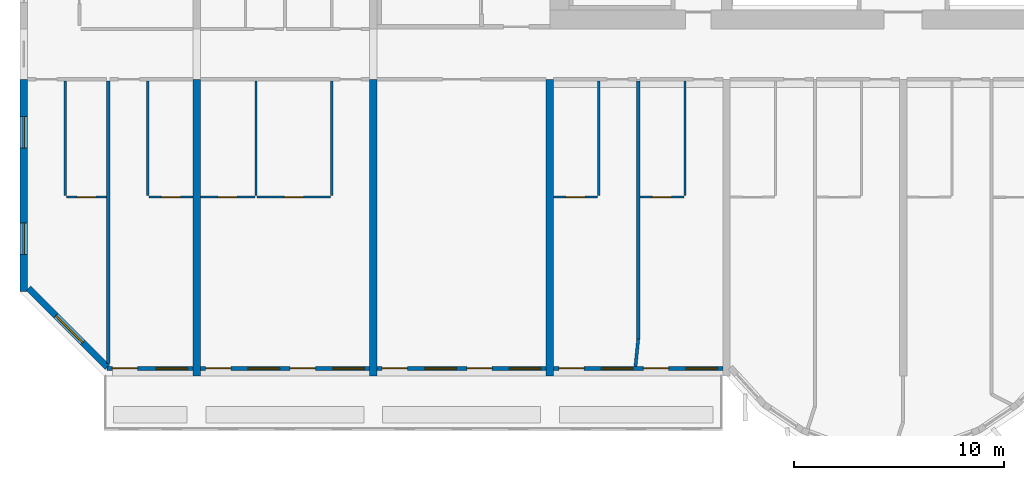
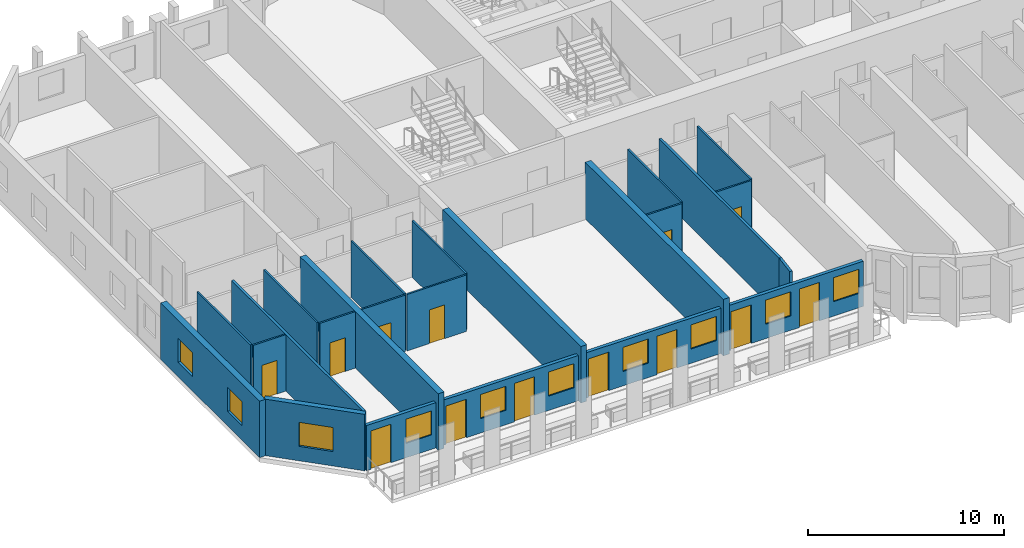
# One storey, part 2 of 14: 24 walls, 13 doors, 10 windows, 23 openings.
"""IFC4 building model written with IfcOpenShell, lengths in metres."""

from ifc_helpers import new_model, si_unit, direction, frame, frame_2d, origin, place, context, subcontext, project, spatial, rectangle, extrude, source, transform, mapped, material, layer, layer_set, type_object, element, fill, save


model = new_model("IFC4")

# Units and contexts
model_context = context("Model", 3, precision=1e-05, world=origin(), true_north=direction((0.0, 1.0)))
body_context = subcontext(model_context, "Body", "Model", "MODEL_VIEW")
ifc_project = project(units=[si_unit("LENGTHUNIT", "METRE"), si_unit("AREAUNIT", "SQUARE_METRE"), si_unit("VOLUMEUNIT", "CUBIC_METRE"), si_unit("PLANEANGLEUNIT", "RADIAN"), si_unit("MASSUNIT", "GRAM", prefix="KILO")], contexts=[model_context])

# Site, building, storey
site_placement = place(None, origin())
site = spatial("IfcSite", under=ifc_project, at=site_placement, CompositionType="ELEMENT")
building_placement = place(site_placement, origin())
building = spatial("IfcBuilding", under=site, at=building_placement, Name="Vanashikhar Sky Hotel", CompositionType="ELEMENT")
storey_placement = place(building_placement, frame((0.0, 0.0, 99.0)))
storey = spatial("IfcBuildingStorey", under=building, at=storey_placement, Name="L23", CompositionType="ELEMENT", Elevation=99.0)

# Wall, openings, windows
ifc_material_1 = material(Name="Concrete M70", Category="concrete")
ifc_layer_1 = layer(ifc_material_1, 0.35009765625)
ifc_layer_set_1 = layer_set([ifc_layer_1], Name="RC shear wall 350 Concrete M70")
wall_type_1 = type_object("IfcWallType", Name="RC shear wall 350 Concrete M70", PredefinedType="SHEAR", material=ifc_layer_set_1)
shared_shape_1 = source(origin(), body_context, "Body", "SweptSolid", [
    extrude(rectangle(XDim=10.10009765625, YDim=0.35009765625, at=frame_2d((5.050048828125, 0.0))), origin(), (0.0, 0.0, 1.0), 3.52001953125),
])
wall_1_placement = place(storey_placement, frame((0.175048828125, 9.5, 0.0), z_axis=(0.0, 0.0, 1.0), x_axis=(0.0, 1.0, 0.0)))
wall_1 = element("IfcWall", 1, at=wall_1_placement, inside=storey, type_object=wall_type_1, Name="CW-L23-XW01-1", PredefinedType="SHEAR", context=body_context, shape_type="MappedRepresentation", body=[
    mapped(shared_shape_1, transform((0.0, 0.0, 0.0), scale=1.0)),
])
shared_shape_2 = source(origin(), body_context, "Body", "SweptSolid", [
    extrude(rectangle(XDim=1.5, YDim=1.5, at=frame_2d((0.75, 0.75))), frame((0.0, 0.18505859375, 0.0), z_axis=(0.0, -1.0, 0.0), x_axis=(1.0, 0.0, 0.0)), (0.0, 0.0, 1.0), 0.3701171875),
])
opening_1_placement = place(wall_1_placement, frame((1.77490234375, 0.0, 0.89990234375)))
opening_1 = element("IfcOpeningElement", 2, at=opening_1_placement, cuts=wall_1, Name="Opening WN-1", PredefinedType="OPENING", context=body_context, shape_type="MappedRepresentation", body=[
    mapped(shared_shape_2, transform((0.0, 0.0, 0.0), scale=1.0)),
])
opening_2_placement = place(wall_1_placement, frame((6.824951171875, 0.0, 0.89990234375)))
opening_2 = element("IfcOpeningElement", 3, at=opening_2_placement, cuts=wall_1, Name="Opening WN-1", PredefinedType="OPENING", context=body_context, shape_type="MappedRepresentation", body=[
    mapped(shared_shape_2, transform((0.0, 0.0, 0.0), scale=1.0)),
])
ifc_material_2 = material(Name="Glass", Category="glass")
window_type_1 = type_object("IfcWindowType", Name="Window 1500 x 1500", PartitioningType="SINGLE_PANEL", PredefinedType="WINDOW", material=ifc_material_2)
shared_shape_3 = source(origin(), body_context, "Body", "SweptSolid", [
    extrude(rectangle(XDim=1.5, YDim=1.5, at=frame_2d((0.75, 0.75))), frame((0.0, 0.030029296875, 0.0), z_axis=(0.0, -1.0, 0.0), x_axis=(1.0, 0.0, 0.0)), (0.0, 0.0, 1.0), 0.06005859375),
])
window_1_placement = place(opening_1_placement, origin())
window_1 = element("IfcWindow", 4, at=window_1_placement, inside=storey, type_object=window_type_1, Name="Window WN-1", OverallHeight=1.5, OverallWidth=1.5, PartitioningType="SINGLE_PANEL", PredefinedType="WINDOW", context=body_context, shape_type="MappedRepresentation", body=[
    mapped(shared_shape_3, transform((0.0, 0.0, 0.0), scale=1.0)),
])
fill(opening_1, window_1)
window_2_placement = place(opening_2_placement, origin())
window_2 = element("IfcWindow", 5, at=window_2_placement, inside=storey, type_object=window_type_1, Name="Window WN-1", OverallHeight=1.5, OverallWidth=1.5, PartitioningType="SINGLE_PANEL", PredefinedType="WINDOW", context=body_context, shape_type="MappedRepresentation", body=[
    mapped(shared_shape_3, transform((0.0, 0.0, 0.0), scale=1.0)),
])
fill(opening_2, window_2)

# Walls
shared_shape_4 = source(origin(), body_context, "Body", "SweptSolid", [
    extrude(rectangle(XDim=14.10009765625, YDim=0.35009765625, at=frame_2d((7.050048828125, 0.0))), origin(), (0.0, 0.0, 1.0), 3.52001953125),
])
for number, where, z_axis, x_axis, name in (
    (6, (8.39990234375, 5.5, 0.0), (0.0, 0.0, 1.0), (0.0, 1.0, 0.0), "CW-L23-XW02-1"),
    (7, (16.800048828125, 5.5, 0.0), (0.0, 0.0, 1.0), (0.0, 1.0, 0.0), "CW-L23-XW03-1"),
    (8, (25.199951171875, 5.5, 0.0), (0.0, 0.0, 1.0), (0.0, 1.0, 0.0), "CW-L23-XW04-1"),
):
    element("IfcWall", number, at=place(storey_placement, frame(where, z_axis=z_axis, x_axis=x_axis)), inside=storey, type_object=wall_type_1, Name=name, PredefinedType="SHEAR", context=body_context, shape_type="MappedRepresentation", body=[
        mapped(shared_shape_4, transform((0.0, 0.0, 0.0), scale=1.0)),
    ])

# Wall, opening, window
ifc_material_3 = material(Name="Concrete M50", Category="concrete")
ifc_layer_2 = layer(ifc_material_3, 0.300048828125)
ifc_layer_set_2 = layer_set([ifc_layer_2], Name="Lobe wall 300")
wall_type_2 = type_object("IfcWallType", Name="Lobe wall 300", PredefinedType="SOLIDWALL", material=ifc_layer_set_2)
shared_shape_5 = source(origin(), body_context, "Body", "SweptSolid", [
    extrude(rectangle(XDim=5.32568359375, YDim=0.300048828125, at=frame_2d((2.662841796875, 0.0))), origin(), (0.0, 0.0, 1.0), 3.52001953125),
])
wall_2_placement = place(storey_placement, frame((0.39990234375, 9.665771484375, 0.0), z_axis=(0.0, 0.0, 1.0), x_axis=(0.707106781187, -0.707106781187, 0.0)))
wall_2 = element("IfcWall", 9, at=wall_2_placement, inside=storey, type_object=wall_type_2, Name="Corner wall", PredefinedType="SOLIDWALL", context=body_context, shape_type="MappedRepresentation", body=[
    mapped(shared_shape_5, transform((0.0, 0.0, 0.0), scale=1.0)),
])
shared_shape_6 = source(origin(), body_context, "Body", "SweptSolid", [
    extrude(rectangle(XDim=1.800048828125, YDim=1.5, at=frame_2d((0.89990234375, 0.75))), frame((0.0, 0.16015625, 0.0), z_axis=(0.0, -1.0, 0.0), x_axis=(1.0, 0.0, 0.0)), (0.0, 0.0, 1.0), 0.320068359375),
])
opening_3_placement = place(wall_2_placement, frame((1.853759765625, 0.0, 0.89990234375)))
opening_3 = element("IfcOpeningElement", 10, at=opening_3_placement, cuts=wall_2, Name="Opening WN-4", PredefinedType="OPENING", context=body_context, shape_type="MappedRepresentation", body=[
    mapped(shared_shape_6, transform((0.0, 0.0, 0.0), scale=1.0)),
])
window_type_2 = type_object("IfcWindowType", Name="Corner window 1800 x 1500", PartitioningType="SINGLE_PANEL", PredefinedType="WINDOW", material=ifc_material_2)
shared_shape_7 = source(origin(), body_context, "Body", "SweptSolid", [
    extrude(rectangle(XDim=1.800048828125, YDim=1.5, at=frame_2d((0.89990234375, 0.75))), frame((0.0, 0.030029296875, 0.0), z_axis=(0.0, -1.0, 0.0), x_axis=(1.0, 0.0, 0.0)), (0.0, 0.0, 1.0), 0.06005859375),
])
window_3_placement = place(opening_3_placement, origin())
window_3 = element("IfcWindow", 11, at=window_3_placement, inside=storey, type_object=window_type_2, Name="Window WN-4", OverallHeight=1.5, OverallWidth=1.800048828125, PartitioningType="SINGLE_PANEL", PredefinedType="WINDOW", context=body_context, shape_type="MappedRepresentation", body=[
    mapped(shared_shape_7, transform((0.0, 0.0, 0.0), scale=1.0)),
])
fill(opening_3, window_3)

# Wall, openings, window, door
ifc_layer_3 = layer(ifc_material_3, 0.199951171875)
ifc_layer_set_3 = layer_set([ifc_layer_3], Name="Front window wall 200")
wall_type_3 = type_object("IfcWallType", Name="Front window wall 200", PredefinedType="SOLIDWALL", material=ifc_layer_set_3)
shared_shape_8 = source(origin(), body_context, "Body", "SweptSolid", [
    extrude(rectangle(XDim=4.080078125, YDim=0.199951171875, at=frame_2d((2.0400390625, 0.0))), origin(), (0.0, 0.0, 1.0), 2.820068359375),
])
wall_3_placement = place(storey_placement, frame((4.14501953125, 5.85009765625, 0.0), z_axis=(0.0, 0.0, 1.0), x_axis=(1.0, 0.0, 0.0)))
wall_3 = element("IfcWall", 12, at=wall_3_placement, inside=storey, type_object=wall_type_3, Name="Front window wall", PredefinedType="SOLIDWALL", context=body_context, shape_type="MappedRepresentation", body=[
    mapped(shared_shape_8, transform((0.0, 0.0, 0.0), scale=1.0)),
])
shared_shape_9 = source(origin(), body_context, "Body", "SweptSolid", [
    extrude(rectangle(XDim=1.199951171875, YDim=2.39990234375, at=frame_2d((0.60009765625, 1.199951171875))), frame((0.0, 0.10986328125, 0.0), z_axis=(0.0, -1.0, 0.0), x_axis=(1.0, 0.0, 0.0)), (0.0, 0.0, 1.0), 0.219970703125),
])
opening_4_placement = place(wall_3_placement, frame((0.25, 0.0, 0.0)))
opening_4 = element("IfcOpeningElement", 13, at=opening_4_placement, cuts=wall_3, Name="Opening BD-01", PredefinedType="OPENING", context=body_context, shape_type="MappedRepresentation", body=[
    mapped(shared_shape_9, transform((0.0, 0.0, 0.0), scale=1.0)),
])
shared_shape_10 = source(origin(), body_context, "Body", "SweptSolid", [
    extrude(rectangle(XDim=1.5, YDim=1.5, at=frame_2d((0.75, 0.75))), frame((0.0, 0.10986328125, 0.0), z_axis=(0.0, -1.0, 0.0), x_axis=(1.0, 0.0, 0.0)), (0.0, 0.0, 1.0), 0.219970703125),
])
opening_5_placement = place(wall_3_placement, frame((2.330078125, 0.0, 0.89990234375)))
opening_5 = element("IfcOpeningElement", 14, at=opening_5_placement, cuts=wall_3, Name="Opening WN-1", PredefinedType="OPENING", context=body_context, shape_type="MappedRepresentation", body=[
    mapped(shared_shape_10, transform((0.0, 0.0, 0.0), scale=1.0)),
])
window_4_placement = place(opening_5_placement, origin())
window_4 = element("IfcWindow", 15, at=window_4_placement, inside=storey, type_object=window_type_1, Name="Window WN-1", OverallHeight=1.5, OverallWidth=1.5, PartitioningType="SINGLE_PANEL", PredefinedType="WINDOW", context=body_context, shape_type="MappedRepresentation", body=[
    mapped(shared_shape_3, transform((0.0, 0.0, 0.0), scale=1.0)),
])
fill(opening_5, window_4)
ifc_material_4 = material(Name="Aluminium", Category="aluminium")
door_type_1 = type_object("IfcDoorType", Name="Balcony sliding door 1200 x 2400", OperationType="NOTDEFINED", PredefinedType="DOOR", material=ifc_material_4)
shared_shape_11 = source(origin(), body_context, "Body", "SweptSolid", [
    extrude(rectangle(XDim=1.199951171875, YDim=2.39990234375, at=frame_2d((0.60009765625, 1.199951171875))), frame((0.0, 0.02490234375, 0.0), z_axis=(0.0, -1.0, 0.0), x_axis=(1.0, 0.0, 0.0)), (0.0, 0.0, 1.0), 0.050048828125),
])
door_1_placement = place(opening_4_placement, origin())
door_1 = element("IfcDoor", 16, at=door_1_placement, inside=storey, type_object=door_type_1, Name="Balcony sliding door", OperationType="SLIDING_TO_LEFT", OverallHeight=2.39990234375, OverallWidth=1.199951171875, PredefinedType="DOOR", context=body_context, shape_type="MappedRepresentation", body=[
    mapped(shared_shape_11, transform((0.0, 0.0, 0.0), scale=1.0)),
])
fill(opening_4, door_1)

# Wall, openings, windows, doors
shared_shape_12 = source(origin(), body_context, "Body", "SweptSolid", [
    extrude(rectangle(XDim=8.050048828125, YDim=0.199951171875, at=frame_2d((4.02490234375, 0.0))), origin(), (0.0, 0.0, 1.0), 2.820068359375),
])
wall_4_placement = place(storey_placement, frame((8.574951171875, 5.85009765625, 0.0), z_axis=(0.0, 0.0, 1.0), x_axis=(1.0, 0.0, 0.0)))
wall_4 = element("IfcWall", 17, at=wall_4_placement, inside=storey, type_object=wall_type_3, Name="Front window wall", PredefinedType="SOLIDWALL", context=body_context, shape_type="MappedRepresentation", body=[
    mapped(shared_shape_12, transform((0.0, 0.0, 0.0), scale=1.0)),
])
opening_6_placement = place(wall_4_placement, frame((0.25, 0.0, 0.0)))
opening_6 = element("IfcOpeningElement", 18, at=opening_6_placement, cuts=wall_4, Name="Opening BD-02", PredefinedType="OPENING", context=body_context, shape_type="MappedRepresentation", body=[
    mapped(shared_shape_9, transform((0.0, 0.0, 0.0), scale=1.0)),
])
opening_7_placement = place(wall_4_placement, frame((2.27490234375, 0.0, 0.89990234375)))
opening_7 = element("IfcOpeningElement", 19, at=opening_7_placement, cuts=wall_4, Name="Opening WN-1", PredefinedType="OPENING", context=body_context, shape_type="MappedRepresentation", body=[
    mapped(shared_shape_10, transform((0.0, 0.0, 0.0), scale=1.0)),
])
opening_8_placement = place(wall_4_placement, frame((4.27490234375, 0.0, 0.0)))
opening_8 = element("IfcOpeningElement", 20, at=opening_8_placement, cuts=wall_4, Name="Opening BD-03", PredefinedType="OPENING", context=body_context, shape_type="MappedRepresentation", body=[
    mapped(shared_shape_9, transform((0.0, 0.0, 0.0), scale=1.0)),
])
opening_9_placement = place(wall_4_placement, frame((6.300048828125, 0.0, 0.89990234375)))
opening_9 = element("IfcOpeningElement", 21, at=opening_9_placement, cuts=wall_4, Name="Opening WN-1", PredefinedType="OPENING", context=body_context, shape_type="MappedRepresentation", body=[
    mapped(shared_shape_10, transform((0.0, 0.0, 0.0), scale=1.0)),
])
window_5_placement = place(opening_7_placement, origin())
window_5 = element("IfcWindow", 22, at=window_5_placement, inside=storey, type_object=window_type_1, Name="Window WN-1", OverallHeight=1.5, OverallWidth=1.5, PartitioningType="SINGLE_PANEL", PredefinedType="WINDOW", context=body_context, shape_type="MappedRepresentation", body=[
    mapped(shared_shape_3, transform((0.0, 0.0, 0.0), scale=1.0)),
])
fill(opening_7, window_5)
window_6_placement = place(opening_9_placement, origin())
window_6 = element("IfcWindow", 23, at=window_6_placement, inside=storey, type_object=window_type_1, Name="Window WN-1", OverallHeight=1.5, OverallWidth=1.5, PartitioningType="SINGLE_PANEL", PredefinedType="WINDOW", context=body_context, shape_type="MappedRepresentation", body=[
    mapped(shared_shape_3, transform((0.0, 0.0, 0.0), scale=1.0)),
])
fill(opening_9, window_6)
door_2_placement = place(opening_6_placement, origin())
door_2 = element("IfcDoor", 24, at=door_2_placement, inside=storey, type_object=door_type_1, Name="Balcony sliding door", OperationType="SLIDING_TO_RIGHT", OverallHeight=2.39990234375, OverallWidth=1.199951171875, PredefinedType="DOOR", context=body_context, shape_type="MappedRepresentation", body=[
    mapped(shared_shape_11, transform((0.0, 0.0, 0.0), scale=1.0)),
])
fill(opening_6, door_2)
door_3_placement = place(opening_8_placement, origin())
door_3 = element("IfcDoor", 25, at=door_3_placement, inside=storey, type_object=door_type_1, Name="Balcony sliding door", OperationType="SLIDING_TO_LEFT", OverallHeight=2.39990234375, OverallWidth=1.199951171875, PredefinedType="DOOR", context=body_context, shape_type="MappedRepresentation", body=[
    mapped(shared_shape_11, transform((0.0, 0.0, 0.0), scale=1.0)),
])
fill(opening_8, door_3)

wall_5_placement = place(storey_placement, frame((25.375, 5.85009765625, 0.0), z_axis=(0.0, 0.0, 1.0), x_axis=(1.0, 0.0, 0.0)))
wall_5 = element("IfcWall", 26, at=wall_5_placement, inside=storey, type_object=wall_type_3, Name="Front window wall", PredefinedType="SOLIDWALL", context=body_context, shape_type="MappedRepresentation", body=[
    mapped(shared_shape_12, transform((0.0, 0.0, 0.0), scale=1.0)),
])
opening_10_placement = place(wall_5_placement, frame((0.25, 0.0, 0.0)))
opening_10 = element("IfcOpeningElement", 27, at=opening_10_placement, cuts=wall_5, Name="Opening BD-06", PredefinedType="OPENING", context=body_context, shape_type="MappedRepresentation", body=[
    mapped(shared_shape_9, transform((0.0, 0.0, 0.0), scale=1.0)),
])
opening_11_placement = place(wall_5_placement, frame((2.27490234375, 0.0, 0.89990234375)))
opening_11 = element("IfcOpeningElement", 28, at=opening_11_placement, cuts=wall_5, Name="Opening WN-1", PredefinedType="OPENING", context=body_context, shape_type="MappedRepresentation", body=[
    mapped(shared_shape_10, transform((0.0, 0.0, 0.0), scale=1.0)),
])
opening_12_placement = place(wall_5_placement, frame((4.27490234375, 0.0, 0.0)))
opening_12 = element("IfcOpeningElement", 29, at=opening_12_placement, cuts=wall_5, Name="Opening BD-07", PredefinedType="OPENING", context=body_context, shape_type="MappedRepresentation", body=[
    mapped(shared_shape_9, transform((0.0, 0.0, 0.0), scale=1.0)),
])
opening_13_placement = place(wall_5_placement, frame((6.300048828125, 0.0, 0.89990234375)))
opening_13 = element("IfcOpeningElement", 30, at=opening_13_placement, cuts=wall_5, Name="Opening WN-1", PredefinedType="OPENING", context=body_context, shape_type="MappedRepresentation", body=[
    mapped(shared_shape_10, transform((0.0, 0.0, 0.0), scale=1.0)),
])
window_7_placement = place(opening_11_placement, origin())
window_7 = element("IfcWindow", 31, at=window_7_placement, inside=storey, type_object=window_type_1, Name="Window WN-1", OverallHeight=1.5, OverallWidth=1.5, PartitioningType="SINGLE_PANEL", PredefinedType="WINDOW", context=body_context, shape_type="MappedRepresentation", body=[
    mapped(shared_shape_3, transform((0.0, 0.0, 0.0), scale=1.0)),
])
fill(opening_11, window_7)
window_8_placement = place(opening_13_placement, origin())
window_8 = element("IfcWindow", 32, at=window_8_placement, inside=storey, type_object=window_type_1, Name="Window WN-1", OverallHeight=1.5, OverallWidth=1.5, PartitioningType="SINGLE_PANEL", PredefinedType="WINDOW", context=body_context, shape_type="MappedRepresentation", body=[
    mapped(shared_shape_3, transform((0.0, 0.0, 0.0), scale=1.0)),
])
fill(opening_13, window_8)
door_4_placement = place(opening_10_placement, origin())
door_4 = element("IfcDoor", 33, at=door_4_placement, inside=storey, type_object=door_type_1, Name="Balcony sliding door", OperationType="SLIDING_TO_RIGHT", OverallHeight=2.39990234375, OverallWidth=1.199951171875, PredefinedType="DOOR", context=body_context, shape_type="MappedRepresentation", body=[
    mapped(shared_shape_11, transform((0.0, 0.0, 0.0), scale=1.0)),
])
fill(opening_10, door_4)
door_5_placement = place(opening_12_placement, origin())
door_5 = element("IfcDoor", 34, at=door_5_placement, inside=storey, type_object=door_type_1, Name="Balcony sliding door", OperationType="SLIDING_TO_LEFT", OverallHeight=2.39990234375, OverallWidth=1.199951171875, PredefinedType="DOOR", context=body_context, shape_type="MappedRepresentation", body=[
    mapped(shared_shape_11, transform((0.0, 0.0, 0.0), scale=1.0)),
])
fill(opening_12, door_5)

shared_shape_13 = source(origin(), body_context, "Body", "SweptSolid", [
    extrude(rectangle(XDim=8.0498046875, YDim=0.199951171875, at=frame_2d((4.02490234375, 0.0))), origin(), (0.0, 0.0, 1.0), 2.820068359375),
])
wall_6_placement = place(storey_placement, frame((16.97509765625, 5.85009765625, 0.0), z_axis=(0.0, 0.0, 1.0), x_axis=(1.0, 0.0, 0.0)))
wall_6 = element("IfcWall", 35, at=wall_6_placement, inside=storey, type_object=wall_type_3, Name="Front window wall", PredefinedType="SOLIDWALL", context=body_context, shape_type="MappedRepresentation", body=[
    mapped(shared_shape_13, transform((0.0, 0.0, 0.0), scale=1.0)),
])
opening_14_placement = place(wall_6_placement, frame((0.25, 0.0, 0.0)))
opening_14 = element("IfcOpeningElement", 36, at=opening_14_placement, cuts=wall_6, Name="Opening BD-04", PredefinedType="OPENING", context=body_context, shape_type="MappedRepresentation", body=[
    mapped(shared_shape_9, transform((0.0, 0.0, 0.0), scale=1.0)),
])
opening_15_placement = place(wall_6_placement, frame((2.27490234375, 0.0, 0.89990234375)))
opening_15 = element("IfcOpeningElement", 37, at=opening_15_placement, cuts=wall_6, Name="Opening WN-1", PredefinedType="OPENING", context=body_context, shape_type="MappedRepresentation", body=[
    mapped(shared_shape_10, transform((0.0, 0.0, 0.0), scale=1.0)),
])
opening_16_placement = place(wall_6_placement, frame((4.27490234375, 0.0, 0.0)))
opening_16 = element("IfcOpeningElement", 38, at=opening_16_placement, cuts=wall_6, Name="Opening BD-05", PredefinedType="OPENING", context=body_context, shape_type="MappedRepresentation", body=[
    mapped(shared_shape_9, transform((0.0, 0.0, 0.0), scale=1.0)),
])
opening_17_placement = place(wall_6_placement, frame((6.300048828125, 0.0, 0.89990234375)))
opening_17 = element("IfcOpeningElement", 39, at=opening_17_placement, cuts=wall_6, Name="Opening WN-1", PredefinedType="OPENING", context=body_context, shape_type="MappedRepresentation", body=[
    mapped(shared_shape_10, transform((0.0, 0.0, 0.0), scale=1.0)),
])
window_9_placement = place(opening_15_placement, origin())
window_9 = element("IfcWindow", 40, at=window_9_placement, inside=storey, type_object=window_type_1, Name="Window WN-1", OverallHeight=1.5, OverallWidth=1.5, PartitioningType="SINGLE_PANEL", PredefinedType="WINDOW", context=body_context, shape_type="MappedRepresentation", body=[
    mapped(shared_shape_3, transform((0.0, 0.0, 0.0), scale=1.0)),
])
fill(opening_15, window_9)
window_10_placement = place(opening_17_placement, origin())
window_10 = element("IfcWindow", 41, at=window_10_placement, inside=storey, type_object=window_type_1, Name="Window WN-1", OverallHeight=1.5, OverallWidth=1.5, PartitioningType="SINGLE_PANEL", PredefinedType="WINDOW", context=body_context, shape_type="MappedRepresentation", body=[
    mapped(shared_shape_3, transform((0.0, 0.0, 0.0), scale=1.0)),
])
fill(opening_17, window_10)
door_6_placement = place(opening_14_placement, origin())
door_6 = element("IfcDoor", 42, at=door_6_placement, inside=storey, type_object=door_type_1, Name="Balcony sliding door", OperationType="SLIDING_TO_RIGHT", OverallHeight=2.39990234375, OverallWidth=1.199951171875, PredefinedType="DOOR", context=body_context, shape_type="MappedRepresentation", body=[
    mapped(shared_shape_11, transform((0.0, 0.0, 0.0), scale=1.0)),
])
fill(opening_14, door_6)
door_7_placement = place(opening_16_placement, origin())
door_7 = element("IfcDoor", 43, at=door_7_placement, inside=storey, type_object=door_type_1, Name="Balcony sliding door", OperationType="SLIDING_TO_LEFT", OverallHeight=2.39990234375, OverallWidth=1.199951171875, PredefinedType="DOOR", context=body_context, shape_type="MappedRepresentation", body=[
    mapped(shared_shape_11, transform((0.0, 0.0, 0.0), scale=1.0)),
])
fill(opening_16, door_7)

# Wall, opening, door
ifc_material_5 = material(Name="Gypsum plasterboard partition")
ifc_layer_4 = layer(ifc_material_5, 0.10009765625)
ifc_layer_set_4 = layer_set([ifc_layer_4], Name="Wet room partition 100")
wall_type_4 = type_object("IfcWallType", Name="Wet room partition 100", PredefinedType="PARTITIONING", material=ifc_layer_set_4)
shared_shape_14 = source(origin(), body_context, "Body", "SweptSolid", [
    extrude(rectangle(XDim=3.5, YDim=0.10009765625, at=frame_2d((1.75, 0.0))), origin(), (0.0, 0.0, 1.0), 3.52001953125),
])
wall_7_placement = place(storey_placement, frame((11.27490234375, 14.0, 0.0), z_axis=(0.0, 0.0, 1.0), x_axis=(1.0, 0.0, 0.0)))
wall_7 = element("IfcWall", 44, at=wall_7_placement, inside=storey, type_object=wall_type_4, Name="W-L23-PW010", PredefinedType="PARTITIONING", context=body_context, shape_type="MappedRepresentation", body=[
    mapped(shared_shape_14, transform((0.0, 0.0, 0.0), scale=1.0)),
])
shared_shape_15 = source(origin(), body_context, "Body", "SweptSolid", [
    extrude(rectangle(XDim=0.89990234375, YDim=2.10009765625, at=frame_2d((0.449951171875, 1.050048828125))), frame((0.0, 0.06005859375, 0.0), z_axis=(0.0, -1.0, 0.0), x_axis=(1.0, 0.0, 0.0)), (0.0, 0.0, 1.0), 0.1201171875),
])
opening_18_placement = place(wall_7_placement, frame((1.300048828125, 0.0, 0.0)))
opening_18 = element("IfcOpeningElement", 45, at=opening_18_placement, cuts=wall_7, Name="Opening D-02", PredefinedType="OPENING", context=body_context, shape_type="MappedRepresentation", body=[
    mapped(shared_shape_15, transform((0.0, 0.0, 0.0), scale=1.0)),
])
ifc_material_6 = material(Name="Timber door", Category="wood")
door_type_2 = type_object("IfcDoorType", Name="Internal door 900", OperationType="NOTDEFINED", PredefinedType="DOOR", material=ifc_material_6)
shared_shape_16 = source(origin(), body_context, "Body", "SweptSolid", [
    extrude(rectangle(XDim=0.89990234375, YDim=2.10009765625, at=frame_2d((0.449951171875, 1.050048828125))), frame((0.0, 0.02490234375, 0.0), z_axis=(0.0, -1.0, 0.0), x_axis=(1.0, 0.0, 0.0)), (0.0, 0.0, 1.0), 0.050048828125),
])
door_8_placement = place(opening_18_placement, origin())
door_8 = element("IfcDoor", 46, at=door_8_placement, inside=storey, type_object=door_type_2, Name="D-L23-005", OperationType="SINGLE_SWING_RIGHT", OverallHeight=2.10009765625, OverallWidth=0.89990234375, PredefinedType="DOOR", context=body_context, shape_type="MappedRepresentation", body=[
    mapped(shared_shape_16, transform((0.0, 0.0, 0.0), scale=1.0)),
])
fill(opening_18, door_8)

# Walls
shared_shape_17 = source(origin(), body_context, "Body", "SweptSolid", [
    extrude(rectangle(XDim=5.449951171875, YDim=0.10009765625, at=frame_2d((2.72509765625, 0.0))), origin(), (0.0, 0.0, 1.0), 3.52001953125),
])
for number, where, z_axis, x_axis, name in (
    (47, (2.14990234375, 14.074951171875, 0.0), (0.0, 0.0, 1.0), (0.0, 1.0, 0.0), "W-L23-PW001"),
    (48, (6.074951171875, 14.074951171875, 0.0), (0.0, 0.0, 1.0), (0.0, 1.0, 0.0), "W-L23-PW004"),
    (49, (14.824951171875, 14.074951171875, 0.0), (0.0, 0.0, 1.0), (0.0, 1.0, 0.0), "W-L23-PW008"),
    (50, (11.22509765625, 14.074951171875, 0.0), (0.0, 0.0, 1.0), (0.0, 1.0, 0.0), "W-L23-PW009"),
    (51, (27.52490234375, 14.074951171875, 0.0), (0.0, 0.0, 1.0), (0.0, 1.0, 0.0), "W-L23-PW014"),
    (52, (31.625, 14.074951171875, 0.0), (0.0, 0.0, 1.0), (0.0, 1.0, 0.0), "W-L23-PW017"),
):
    element("IfcWall", number, at=place(storey_placement, frame(where, z_axis=z_axis, x_axis=x_axis)), inside=storey, type_object=wall_type_4, Name=name, PredefinedType="PARTITIONING", context=body_context, shape_type="MappedRepresentation", body=[
        mapped(shared_shape_17, transform((0.0, 0.0, 0.0), scale=1.0)),
    ])

# Wall, opening, door
shared_shape_18 = source(origin(), body_context, "Body", "SweptSolid", [
    extrude(rectangle(XDim=1.925048828125, YDim=0.10009765625, at=frame_2d((0.96240234375, 0.0))), origin(), (0.0, 0.0, 1.0), 3.52001953125),
])
wall_8_placement = place(storey_placement, frame((2.199951171875, 14.0, 0.0), z_axis=(0.0, 0.0, 1.0), x_axis=(1.0, 0.0, 0.0)))
wall_8 = element("IfcWall", 53, at=wall_8_placement, inside=storey, type_object=wall_type_4, Name="W-L23-PW002", PredefinedType="PARTITIONING", context=body_context, shape_type="MappedRepresentation", body=[
    mapped(shared_shape_18, transform((0.0, 0.0, 0.0), scale=1.0)),
])
opening_19_placement = place(wall_8_placement, frame((0.511962890625, 0.0, 0.0)))
opening_19 = element("IfcOpeningElement", 54, at=opening_19_placement, cuts=wall_8, Name="Opening D-02", PredefinedType="OPENING", context=body_context, shape_type="MappedRepresentation", body=[
    mapped(shared_shape_15, transform((0.0, 0.0, 0.0), scale=1.0)),
])
door_9_placement = place(opening_19_placement, origin())
door_9 = element("IfcDoor", 55, at=door_9_placement, inside=storey, type_object=door_type_2, Name="D-L23-001", OperationType="SINGLE_SWING_LEFT", OverallHeight=2.10009765625, OverallWidth=0.89990234375, PredefinedType="DOOR", context=body_context, shape_type="MappedRepresentation", body=[
    mapped(shared_shape_16, transform((0.0, 0.0, 0.0), scale=1.0)),
])
fill(opening_19, door_9)

shared_shape_19 = source(origin(), body_context, "Body", "SweptSolid", [
    extrude(rectangle(XDim=2.10009765625, YDim=0.10009765625, at=frame_2d((1.050048828125, 0.0))), origin(), (0.0, 0.0, 1.0), 3.52001953125),
])
wall_9_placement = place(storey_placement, frame((6.125, 14.0, 0.0), z_axis=(0.0, 0.0, 1.0), x_axis=(1.0, 0.0, 0.0)))
wall_9 = element("IfcWall", 56, at=wall_9_placement, inside=storey, type_object=wall_type_4, Name="W-L23-PW005", PredefinedType="PARTITIONING", context=body_context, shape_type="MappedRepresentation", body=[
    mapped(shared_shape_19, transform((0.0, 0.0, 0.0), scale=1.0)),
])
opening_20_placement = place(wall_9_placement, frame((0.60009765625, 0.0, 0.0)))
opening_20 = element("IfcOpeningElement", 57, at=opening_20_placement, cuts=wall_9, Name="Opening D-02", PredefinedType="OPENING", context=body_context, shape_type="MappedRepresentation", body=[
    mapped(shared_shape_15, transform((0.0, 0.0, 0.0), scale=1.0)),
])
door_10_placement = place(opening_20_placement, origin())
door_10 = element("IfcDoor", 58, at=door_10_placement, inside=storey, type_object=door_type_2, Name="D-L23-003", OperationType="SINGLE_SWING_LEFT", OverallHeight=2.10009765625, OverallWidth=0.89990234375, PredefinedType="DOOR", context=body_context, shape_type="MappedRepresentation", body=[
    mapped(shared_shape_16, transform((0.0, 0.0, 0.0), scale=1.0)),
])
fill(opening_20, door_10)

wall_10_placement = place(storey_placement, frame((25.375, 14.0, 0.0), z_axis=(0.0, 0.0, 1.0), x_axis=(1.0, 0.0, 0.0)))
wall_10 = element("IfcWall", 59, at=wall_10_placement, inside=storey, type_object=wall_type_4, Name="W-L23-PW015", PredefinedType="PARTITIONING", context=body_context, shape_type="MappedRepresentation", body=[
    mapped(shared_shape_19, transform((0.0, 0.0, 0.0), scale=1.0)),
])
opening_21_placement = place(wall_10_placement, frame((0.60009765625, 0.0, 0.0)))
opening_21 = element("IfcOpeningElement", 60, at=opening_21_placement, cuts=wall_10, Name="Opening D-02", PredefinedType="OPENING", context=body_context, shape_type="MappedRepresentation", body=[
    mapped(shared_shape_15, transform((0.0, 0.0, 0.0), scale=1.0)),
])
door_11_placement = place(opening_21_placement, origin())
door_11 = element("IfcDoor", 61, at=door_11_placement, inside=storey, type_object=door_type_2, Name="D-L23-009", OperationType="SINGLE_SWING_RIGHT", OverallHeight=2.10009765625, OverallWidth=0.89990234375, PredefinedType="DOOR", context=body_context, shape_type="MappedRepresentation", body=[
    mapped(shared_shape_16, transform((0.0, 0.0, 0.0), scale=1.0)),
])
fill(opening_21, door_11)

# Wall
ifc_layer_5 = layer(ifc_material_5, 0.14990234375)
ifc_layer_set_5 = layer_set([ifc_layer_5], Name="Corridor and demising partition 150")
wall_type_5 = type_object("IfcWallType", Name="Corridor and demising partition 150", PredefinedType="PARTITIONING", material=ifc_layer_set_5)
shared_shape_20 = source(origin(), body_context, "Body", "SweptSolid", [
    extrude(rectangle(XDim=13.447021484375, YDim=0.14990234375, at=frame_2d((6.7236328125, 0.0))), origin(), (0.0, 0.0, 1.0), 3.52001953125),
])
wall_11_placement = place(storey_placement, frame((4.199951171875, 6.077880859375, 0.0), z_axis=(0.0, 0.0, 1.0), x_axis=(0.0, 1.0, 0.0)))
element("IfcWall", 62, at=wall_11_placement, inside=storey, type_object=wall_type_5, Name="W-L23-PW007", PredefinedType="PARTITIONING", context=body_context, shape_type="MappedRepresentation", body=[
    mapped(shared_shape_20, transform((0.0, 0.0, 0.0), scale=1.0)),
])

# Wall, opening, door
shared_shape_21 = source(origin(), body_context, "Body", "SweptSolid", [
    extrude(rectangle(XDim=2.60009765625, YDim=0.10009765625, at=frame_2d((1.300048828125, 0.0))), origin(), (0.0, 0.0, 1.0), 3.52001953125),
])
wall_12_placement = place(storey_placement, frame((8.574951171875, 14.0, 0.0), z_axis=(0.0, 0.0, 1.0), x_axis=(1.0, 0.0, 0.0)))
wall_12 = element("IfcWall", 63, at=wall_12_placement, inside=storey, type_object=wall_type_4, Name="W-L23-PW011", PredefinedType="PARTITIONING", context=body_context, shape_type="MappedRepresentation", body=[
    mapped(shared_shape_21, transform((0.0, 0.0, 0.0), scale=1.0)),
])
opening_22_placement = place(wall_12_placement, frame((0.85009765625, 0.0, 0.0)))
opening_22 = element("IfcOpeningElement", 64, at=opening_22_placement, cuts=wall_12, Name="Opening D-02", PredefinedType="OPENING", context=body_context, shape_type="MappedRepresentation", body=[
    mapped(shared_shape_15, transform((0.0, 0.0, 0.0), scale=1.0)),
])
door_12_placement = place(opening_22_placement, origin())
door_12 = element("IfcDoor", 65, at=door_12_placement, inside=storey, type_object=door_type_2, Name="D-L23-006", OperationType="SINGLE_SWING_RIGHT", OverallHeight=2.10009765625, OverallWidth=0.89990234375, PredefinedType="DOOR", context=body_context, shape_type="MappedRepresentation", body=[
    mapped(shared_shape_16, transform((0.0, 0.0, 0.0), scale=1.0)),
])
fill(opening_22, door_12)

shared_shape_22 = source(origin(), body_context, "Body", "SweptSolid", [
    extrude(rectangle(XDim=2.099853515625, YDim=0.10009765625, at=frame_2d((1.0498046875, 0.0))), origin(), (0.0, 0.0, 1.0), 3.52001953125),
])
wall_13_placement = place(storey_placement, frame((29.47509765625, 14.0, 0.0), z_axis=(0.0, 0.0, 1.0), x_axis=(1.0, 0.0, 0.0)))
wall_13 = element("IfcWall", 66, at=wall_13_placement, inside=storey, type_object=wall_type_4, Name="W-L23-PW018", PredefinedType="PARTITIONING", context=body_context, shape_type="MappedRepresentation", body=[
    mapped(shared_shape_22, transform((0.0, 0.0, 0.0), scale=1.0)),
])
opening_23_placement = place(wall_13_placement, frame((0.60009765625, 0.0, 0.0)))
opening_23 = element("IfcOpeningElement", 67, at=opening_23_placement, cuts=wall_13, Name="Opening D-02", PredefinedType="OPENING", context=body_context, shape_type="MappedRepresentation", body=[
    mapped(shared_shape_15, transform((0.0, 0.0, 0.0), scale=1.0)),
])
door_13_placement = place(opening_23_placement, origin())
door_13 = element("IfcDoor", 68, at=door_13_placement, inside=storey, type_object=door_type_2, Name="D-L23-011", OperationType="SINGLE_SWING_RIGHT", OverallHeight=2.10009765625, OverallWidth=0.89990234375, PredefinedType="DOOR", context=body_context, shape_type="MappedRepresentation", body=[
    mapped(shared_shape_16, transform((0.0, 0.0, 0.0), scale=1.0)),
])
fill(opening_23, door_13)

# Walls
shared_shape_23 = source(origin(), body_context, "Body", "SweptSolid", [
    extrude(rectangle(XDim=12.27490234375, YDim=0.14990234375, at=frame_2d((6.137451171875, 0.0))), origin(), (0.0, 0.0, 1.0), 3.52001953125),
])
wall_14_placement = place(storey_placement, frame((29.39990234375, 7.25, 0.0), z_axis=(0.0, 0.0, 1.0), x_axis=(0.0, 1.0, 0.0)))
element("IfcWall", 69, at=wall_14_placement, inside=storey, type_object=wall_type_5, Name="W-L23-PW020", PredefinedType="PARTITIONING", context=body_context, shape_type="MappedRepresentation", body=[
    mapped(shared_shape_23, transform((0.0, 0.0, 0.0), scale=1.0)),
])
shared_shape_24 = source(origin(), body_context, "Body", "SweptSolid", [
    extrude(rectangle(XDim=1.306640625, YDim=0.14990234375, at=frame_2d((0.6533203125, 0.0))), origin(), (0.0, 0.0, 1.0), 3.52001953125),
])
wall_15_placement = place(storey_placement, frame((29.27001953125, 5.949951171875, 0.0), z_axis=(0.0, 0.0, 1.0), x_axis=(0.099411212066, 0.995046436562, 0.0)))
element("IfcWall", 70, at=wall_15_placement, inside=storey, type_object=wall_type_5, Name="W-L23-PW020B0", PredefinedType="PARTITIONING", context=body_context, shape_type="MappedRepresentation", body=[
    mapped(shared_shape_24, transform((0.0, 0.0, 0.0), scale=1.0)),
])

save(model, "model.ifc")
